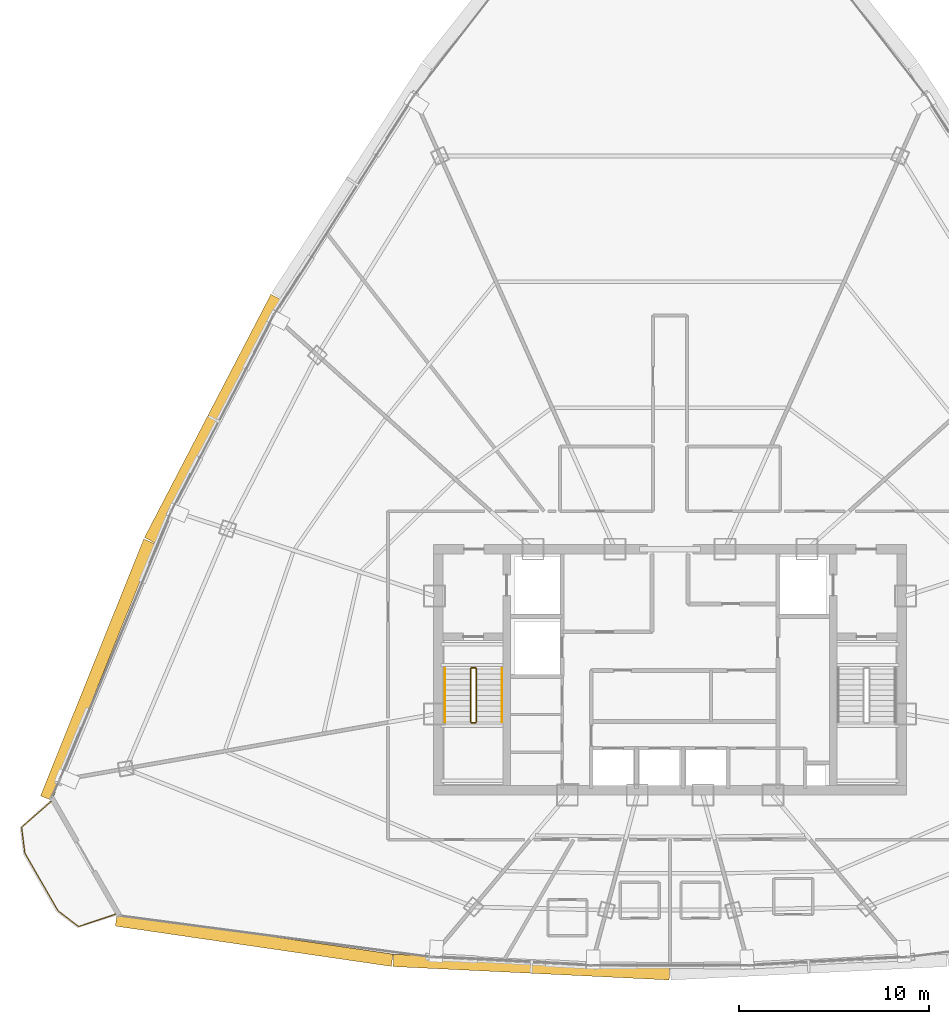
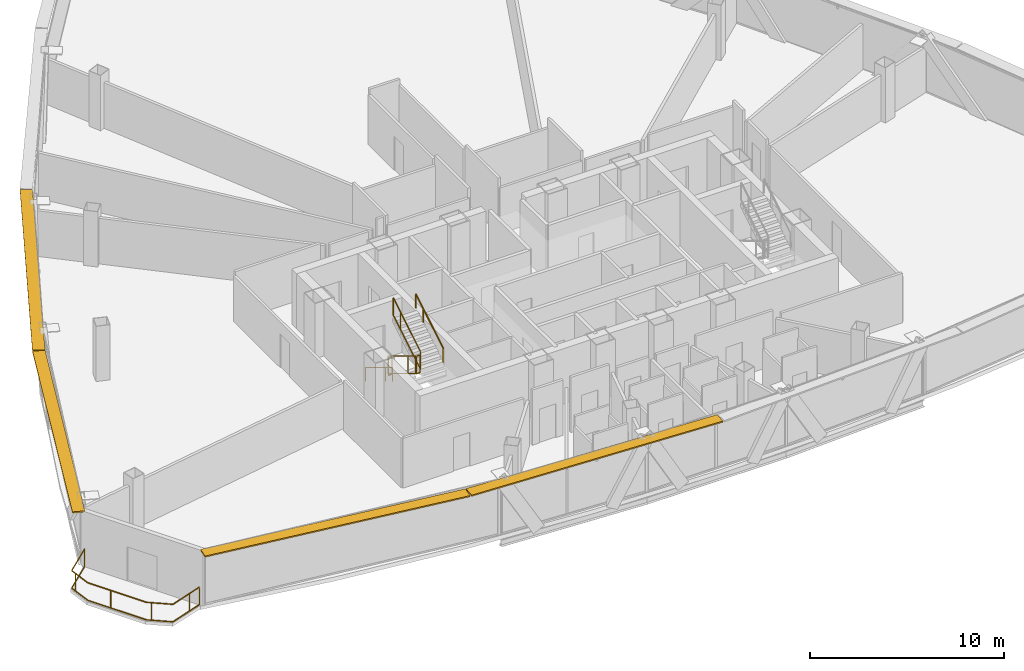
# One storey, part 37 of 39: 7 railings, 4 shading devices.
"""IFC4 building model written with IfcOpenShell, lengths in metres."""

from ifc_helpers import new_model, si_unit, direction, frame, origin, origin_2d, place, context, subcontext, project, spatial, rectangle, extrude, source, transform, mapped, material, layer, layer_set, type_object, element, save


model = new_model("IFC4")

# Units and contexts
model_context = context("Model", 3, precision=1e-05, world=origin(), true_north=direction((0.0, 1.0)))
body_context = subcontext(model_context, "Body", "Model", "MODEL_VIEW")
ifc_project = project(units=[si_unit("LENGTHUNIT", "METRE"), si_unit("AREAUNIT", "SQUARE_METRE"), si_unit("VOLUMEUNIT", "CUBIC_METRE"), si_unit("PLANEANGLEUNIT", "RADIAN"), si_unit("MASSUNIT", "GRAM", prefix="KILO"), si_unit("THERMODYNAMICTEMPERATUREUNIT", "KELVIN"), si_unit("POWERUNIT", "WATT")], contexts=[model_context])

# Site, building, storey
site_placement = place(None, origin())
site = spatial("IfcSite", under=ifc_project, at=site_placement, CompositionType="ELEMENT")
building_placement = place(site_placement, origin())
building = spatial("IfcBuilding", under=site, at=building_placement, Name="Yunzhuo Pagoda Commons", CompositionType="ELEMENT")
storey_placement = place(building_placement, frame((0.0, 0.0, 285.02001953125)))
storey = spatial("IfcBuildingStorey", under=building, at=storey_placement, Name="L71", CompositionType="ELEMENT", Elevation=285.02001953125)

# Railings
ifc_material = material(Name="Anodized aluminium 6063-T6", Category="aluminium")
railing_type_1 = type_object("IfcRailingType", Name="GR-ST1 Stair Well Guardrail 1150", PredefinedType="GUARDRAIL", material=ifc_material)
railing_1_placement = place(storey_placement, frame((37.5, 33.89990234375, 0.16943359375)))
element("IfcRailing", 1, at=railing_1_placement, inside=storey, type_object=railing_type_1, Name="L71 ST1 stair guard 1", PredefinedType="GUARDRAIL", context=body_context, shape_type="SweptSolid", body=[
    extrude(rectangle(XDim=0.048095703125, YDim=0.048095703125, at=origin_2d()), frame((0.0, 0.0, 1.1259765625), z_axis=(0.0, -0.855373106579, 0.518012401918), x_axis=(1.0, 0.0, 0.0)), (0.0, 0.0, 1.0), 3.273193359375),
    extrude(rectangle(XDim=0.048095703125, YDim=0.048095703125, at=origin_2d()), frame((0.0, 0.0, 0.02392578125), z_axis=(0.0, -0.855373106579, 0.518012401918), x_axis=(1.0, 0.0, 0.0)), (0.0, 0.0, 1.0), 3.273193359375),
    extrude(rectangle(XDim=0.0419921875, YDim=0.0419921875, at=origin_2d()), origin(), (0.0, 0.0, 1.0), 1.101806640625),
    extrude(rectangle(XDim=0.0419921875, YDim=0.0419921875, at=origin_2d()), frame((0.0, -2.052978515625, 1.2431640625)), (0.0, 0.0, 1.0), 1.101806640625),
    extrude(rectangle(XDim=0.0419921875, YDim=0.0419921875, at=origin_2d()), frame((0.0, -2.7998046875, 1.695556640625)), (0.0, 0.0, 1.0), 1.101806640625),
])
railing_2_placement = place(storey_placement, frame((37.550048828125, 31.050048828125, 1.864990234375)))
element("IfcRailing", 2, at=railing_2_placement, inside=storey, type_object=railing_type_1, Name="L71 ST1 stair guard 2", PredefinedType="GUARDRAIL", context=body_context, shape_type="SweptSolid", body=[
    extrude(rectangle(XDim=0.048095703125, YDim=0.048095703125, at=origin_2d()), frame((0.0, 0.0, 1.1259765625), z_axis=(1.0, 0.0, 0.0), x_axis=(0.0, 1.0, 0.0)), (0.0, 0.0, 1.0), 0.199951171875),
    extrude(rectangle(XDim=0.048095703125, YDim=0.048095703125, at=origin_2d()), frame((0.0, 0.0, 0.02392578125), z_axis=(1.0, 0.0, 0.0), x_axis=(0.0, 1.0, 0.0)), (0.0, 0.0, 1.0), 0.199951171875),
    extrude(rectangle(XDim=0.0419921875, YDim=0.0419921875, at=origin_2d()), origin(), (0.0, 0.0, 1.0), 1.101806640625),
    extrude(rectangle(XDim=0.0419921875, YDim=0.0419921875, at=origin_2d()), frame((0.199951171875, 0.0, 0.0)), (0.0, 0.0, 1.0), 1.101806640625),
])
railing_3_placement = place(storey_placement, frame((37.800048828125, 31.10009765625, 2.034423828125)))
element("IfcRailing", 3, at=railing_3_placement, inside=storey, type_object=railing_type_1, Name="L71 ST1 stair guard 3", PredefinedType="GUARDRAIL", context=body_context, shape_type="SweptSolid", body=[
    extrude(rectangle(XDim=0.048095703125, YDim=0.048095703125, at=origin_2d()), frame((0.0, 0.0, 1.1259765625), z_axis=(0.0, 0.855373106579, 0.518012401918), x_axis=(-1.0, 0.0, 0.0)), (0.0, 0.0, 1.0), 3.273193359375),
    extrude(rectangle(XDim=0.048095703125, YDim=0.048095703125, at=origin_2d()), frame((0.0, 0.0, 0.02392578125), z_axis=(0.0, 0.855373106579, 0.518012401918), x_axis=(-1.0, 0.0, 0.0)), (0.0, 0.0, 1.0), 3.273193359375),
    extrude(rectangle(XDim=0.0419921875, YDim=0.0419921875, at=origin_2d()), origin(), (0.0, 0.0, 1.0), 1.101806640625),
    extrude(rectangle(XDim=0.0419921875, YDim=0.0419921875, at=origin_2d()), frame((0.0, 2.052978515625, 1.2431640625)), (0.0, 0.0, 1.0), 1.101806640625),
    extrude(rectangle(XDim=0.0419921875, YDim=0.0419921875, at=origin_2d()), frame((0.0, 2.7998046875, 1.695556640625)), (0.0, 0.0, 1.0), 1.101806640625),
])
railing_4_placement = place(storey_placement, frame((37.550048828125, 33.949951171875, 0.0)))
element("IfcRailing", 4, at=railing_4_placement, inside=storey, type_object=railing_type_1, Name="L71 ST1 stair guard 4", PredefinedType="GUARDRAIL", context=body_context, shape_type="SweptSolid", body=[
    extrude(rectangle(XDim=0.048095703125, YDim=0.048095703125, at=origin_2d()), frame((0.0, 0.0, 1.1259765625), z_axis=(1.0, 0.0, 0.0), x_axis=(0.0, 1.0, 0.0)), (0.0, 0.0, 1.0), 0.199951171875),
    extrude(rectangle(XDim=0.048095703125, YDim=0.048095703125, at=origin_2d()), frame((0.0, 0.0, 0.02392578125), z_axis=(1.0, 0.0, 0.0), x_axis=(0.0, 1.0, 0.0)), (0.0, 0.0, 1.0), 0.199951171875),
    extrude(rectangle(XDim=0.0419921875, YDim=0.0419921875, at=origin_2d()), origin(), (0.0, 0.0, 1.0), 1.101806640625),
    extrude(rectangle(XDim=0.0419921875, YDim=0.0419921875, at=origin_2d()), frame((0.199951171875, 0.0, 0.0)), (0.0, 0.0, 1.0), 1.101806640625),
])
railing_type_2 = type_object("IfcRailingType", Name="HR-ST1 Stair Handrail 900", PredefinedType="HANDRAIL", material=ifc_material)
railing_5_placement = place(storey_placement, frame((36.14990234375, 33.89990234375, 0.16943359375)))
element("IfcRailing", 5, at=railing_5_placement, inside=storey, type_object=railing_type_2, Name="L71 ST1 stair handrail 1", PredefinedType="HANDRAIL", context=body_context, shape_type="SweptSolid", body=[
    extrude(rectangle(XDim=0.048095703125, YDim=0.048095703125, at=origin_2d()), frame((0.0, 0.0, 0.8759765625), z_axis=(0.0, -0.855373106579, 0.518012401918), x_axis=(1.0, 0.0, 0.0)), (0.0, 0.0, 1.0), 3.273193359375),
    extrude(rectangle(XDim=0.0419921875, YDim=0.0419921875, at=origin_2d()), origin(), (0.0, 0.0, 1.0), 0.851806640625),
    extrude(rectangle(XDim=0.0419921875, YDim=0.0419921875, at=origin_2d()), frame((0.0, -2.052978515625, 1.2431640625)), (0.0, 0.0, 1.0), 0.851806640625),
    extrude(rectangle(XDim=0.0419921875, YDim=0.0419921875, at=origin_2d()), frame((0.0, -2.7998046875, 1.695556640625)), (0.0, 0.0, 1.0), 0.851806640625),
])
railing_6_placement = place(storey_placement, frame((39.14990234375, 31.10009765625, 2.034423828125)))
element("IfcRailing", 6, at=railing_6_placement, inside=storey, type_object=railing_type_2, Name="L71 ST1 stair handrail 2", PredefinedType="HANDRAIL", context=body_context, shape_type="SweptSolid", body=[
    extrude(rectangle(XDim=0.048095703125, YDim=0.048095703125, at=origin_2d()), frame((0.0, 0.0, 0.8759765625), z_axis=(0.0, 0.855373106579, 0.518012401918), x_axis=(-1.0, 0.0, 0.0)), (0.0, 0.0, 1.0), 3.273193359375),
    extrude(rectangle(XDim=0.0419921875, YDim=0.0419921875, at=origin_2d()), origin(), (0.0, 0.0, 1.0), 0.851806640625),
    extrude(rectangle(XDim=0.0419921875, YDim=0.0419921875, at=origin_2d()), frame((0.0, 2.052978515625, 1.2431640625)), (0.0, 0.0, 1.0), 0.851806640625),
    extrude(rectangle(XDim=0.0419921875, YDim=0.0419921875, at=origin_2d()), frame((0.0, 2.7998046875, 1.695556640625)), (0.0, 0.0, 1.0), 0.851806640625),
])
railing_type_3 = type_object("IfcRailingType", Name="RL-BAL1 Exterior Terrace & Balcony Balustrade 1150", PredefinedType="BALUSTRADE", material=ifc_material)
railing_7_placement = place(storey_placement, frame((15.40380859375, 26.909912109375, 0.0)))
element("IfcRailing", 7, at=railing_7_placement, inside=storey, type_object=railing_type_3, Name="L71 corner balcony balustrade V1", PredefinedType="BALUSTRADE", context=body_context, shape_type="SweptSolid", body=[
    extrude(rectangle(XDim=0.048095703125, YDim=0.048095703125, at=origin_2d()), frame((0.0, 0.0, 1.1259765625), z_axis=(-0.753933830692, -0.656950362614, 0.0), x_axis=(0.656950362614, -0.753933830692, 0.0)), (0.0, 0.0, 1.0), 2.05908203125),
    extrude(rectangle(XDim=0.048095703125, YDim=0.048095703125, at=origin_2d()), frame((0.0, 0.0, 0.02392578125), z_axis=(-0.753933830692, -0.656950362614, 0.0), x_axis=(0.656950362614, -0.753933830692, 0.0)), (0.0, 0.0, 1.0), 2.05908203125),
    extrude(rectangle(XDim=0.048095703125, YDim=0.048095703125, at=origin_2d()), frame((-1.552490234375, -1.352783203125, 1.1259765625), z_axis=(0.125040239257, -0.99215167115, 0.0), x_axis=(0.99215167115, 0.125040239257, 0.0)), (0.0, 0.0, 1.0), 1.37451171875),
    extrude(rectangle(XDim=0.048095703125, YDim=0.048095703125, at=origin_2d()), frame((-1.552490234375, -1.352783203125, 0.02392578125), z_axis=(0.125040239257, -0.99215167115, 0.0), x_axis=(0.99215167115, 0.125040239257, 0.0)), (0.0, 0.0, 1.0), 1.37451171875),
    extrude(rectangle(XDim=0.048095703125, YDim=0.048095703125, at=origin_2d()), frame((-1.380615234375, -2.716552734375, 1.1259765625), z_axis=(0.49794239508, -0.867210107864, 0.0), x_axis=(0.867210107864, 0.49794239508, 0.0)), (0.0, 0.0, 1.0), 3.496826171875),
    extrude(rectangle(XDim=0.048095703125, YDim=0.048095703125, at=origin_2d()), frame((-1.380615234375, -2.716552734375, 0.02392578125), z_axis=(0.49794239508, -0.867210107864, 0.0), x_axis=(0.867210107864, 0.49794239508, 0.0)), (0.0, 0.0, 1.0), 3.496826171875),
    extrude(rectangle(XDim=0.048095703125, YDim=0.048095703125, at=origin_2d()), frame((0.360595703125, -5.7490234375, 1.1259765625), z_axis=(0.793797866596, -0.608181672684, 0.0), x_axis=(0.608181672684, 0.793797866596, 0.0)), (0.0, 0.0, 1.0), 1.37451171875),
    extrude(rectangle(XDim=0.048095703125, YDim=0.048095703125, at=origin_2d()), frame((0.360595703125, -5.7490234375, 0.02392578125), z_axis=(0.793797866596, -0.608181672684, 0.0), x_axis=(0.608181672684, 0.793797866596, 0.0)), (0.0, 0.0, 1.0), 1.37451171875),
    extrude(rectangle(XDim=0.048095703125, YDim=0.048095703125, at=origin_2d()), frame((1.45166015625, -6.5849609375, 1.1259765625), z_axis=(0.947419062147, 0.319995501031, 0.0), x_axis=(-0.319995501031, 0.947419062147, 0.0)), (0.0, 0.0, 1.0), 2.05908203125),
    extrude(rectangle(XDim=0.048095703125, YDim=0.048095703125, at=origin_2d()), frame((1.45166015625, -6.5849609375, 0.02392578125), z_axis=(0.947419062147, 0.319995501031, 0.0), x_axis=(-0.319995501031, 0.947419062147, 0.0)), (0.0, 0.0, 1.0), 2.05908203125),
    extrude(rectangle(XDim=0.0419921875, YDim=0.0419921875, at=origin_2d()), origin(), (0.0, 0.0, 1.0), 1.101806640625),
    extrude(rectangle(XDim=0.0419921875, YDim=0.0419921875, at=origin_2d()), frame((-1.509765625, -1.69091796875, 0.0)), (0.0, 0.0, 1.0), 1.101806640625),
    extrude(rectangle(XDim=0.0419921875, YDim=0.0419921875, at=origin_2d()), frame((-0.7001953125, -3.9013671875, 0.0)), (0.0, 0.0, 1.0), 1.101806640625),
    extrude(rectangle(XDim=0.0419921875, YDim=0.0419921875, at=origin_2d()), frame((0.574462890625, -5.912841796875, 0.0)), (0.0, 0.0, 1.0), 1.101806640625),
    extrude(rectangle(XDim=0.0419921875, YDim=0.0419921875, at=origin_2d()), frame((2.678466796875, -6.170654296875, 0.0)), (0.0, 0.0, 1.0), 1.101806640625),
    extrude(rectangle(XDim=0.0419921875, YDim=0.0419921875, at=origin_2d()), frame((3.402587890625, -5.926025390625, 0.0)), (0.0, 0.0, 1.0), 1.101806640625),
])

# Shading devices
ifc_layer = layer(ifc_material, 0.080078125)
ifc_layer_set = layer_set([ifc_layer], Name="Anodized aluminium 6063-T6")
shading_device_type = type_object("IfcShadingDeviceType", Name="SH-SUN1 Pagoda Horizontal Sunshade Eave 650", PredefinedType="USERDEFINED", material=ifc_layer_set)
shared_shape_1 = source(origin(), body_context, "Body", "SweptSolid", [
    extrude(rectangle(XDim=14.69140625, YDim=0.64990234375, at=origin_2d()), origin(), (0.0, 0.0, 1.0), 0.080078125),
])
shading_device_1_placement = place(storey_placement, frame((26.10009765625, 19.613037109375, 3.389892578125), z_axis=(0.0, 0.0, 1.0), x_axis=(0.989510666697, -0.144459823108, 0.0)))
element("IfcShadingDevice", 8, at=shading_device_1_placement, inside=storey, type_object=shading_device_type, Name="L71 horizontal pagoda sunshade eave F1.1", ObjectType="SUNSHADE", PredefinedType="USERDEFINED", context=body_context, shape_type="MappedRepresentation", body=[
    mapped(shared_shape_1, transform((0.0, 0.0, 0.0), scale=1.0)),
])
shared_shape_2 = source(origin(), body_context, "Body", "SweptSolid", [
    extrude(rectangle(XDim=14.55419921875, YDim=0.64990234375, at=origin_2d()), origin(), (0.0, 0.0, 1.0), 0.080078125),
])
shading_device_2_placement = place(storey_placement, frame((40.699951171875, 18.192138671875, 3.389892578125), z_axis=(0.0, 0.0, 1.0), x_axis=(0.998818043775, -0.04860571396, 0.0)))
element("IfcShadingDevice", 9, at=shading_device_2_placement, inside=storey, type_object=shading_device_type, Name="L71 horizontal pagoda sunshade eave F1.2", ObjectType="SUNSHADE", PredefinedType="USERDEFINED", context=body_context, shape_type="MappedRepresentation", body=[
    mapped(shared_shape_2, transform((0.0, 0.0, 0.0), scale=1.0)),
])
shared_shape_3 = source(origin(), body_context, "Body", "SweptSolid", [
    extrude(rectangle(XDim=14.5732421875, YDim=0.64990234375, at=origin_2d()), origin(), (0.0, 0.0, 1.0), 0.080078125),
])
shading_device_3_placement = place(storey_placement, frame((17.86669921875, 33.84814453125, 3.389892578125), z_axis=(0.0, 0.0, 1.0), x_axis=(-0.372987782576, -0.927836253899, 0.0)))
element("IfcShadingDevice", 10, at=shading_device_3_placement, inside=storey, type_object=shading_device_type, Name="L71 horizontal pagoda sunshade eave F3.4", ObjectType="SUNSHADE", PredefinedType="USERDEFINED", context=body_context, shape_type="MappedRepresentation", body=[
    mapped(shared_shape_3, transform((0.0, 0.0, 0.0), scale=1.0)),
])
shared_shape_4 = source(origin(), body_context, "Body", "SweptSolid", [
    extrude(rectangle(XDim=14.434814453125, YDim=0.64990234375, at=origin_2d()), origin(), (0.0, 0.0, 1.0), 0.080078125),
])
shading_device_4_placement = place(storey_placement, frame((23.939697265625, 47.0703125, 3.389892578125), z_axis=(0.0, 0.0, 1.0), x_axis=(-0.461206683033, -0.88729273384, 0.0)))
element("IfcShadingDevice", 11, at=shading_device_4_placement, inside=storey, type_object=shading_device_type, Name="L71 horizontal pagoda sunshade eave F3.3", ObjectType="SUNSHADE", PredefinedType="USERDEFINED", context=body_context, shape_type="MappedRepresentation", body=[
    mapped(shared_shape_4, transform((0.0, 0.0, 0.0), scale=1.0)),
])

save(model, "model.ifc")
